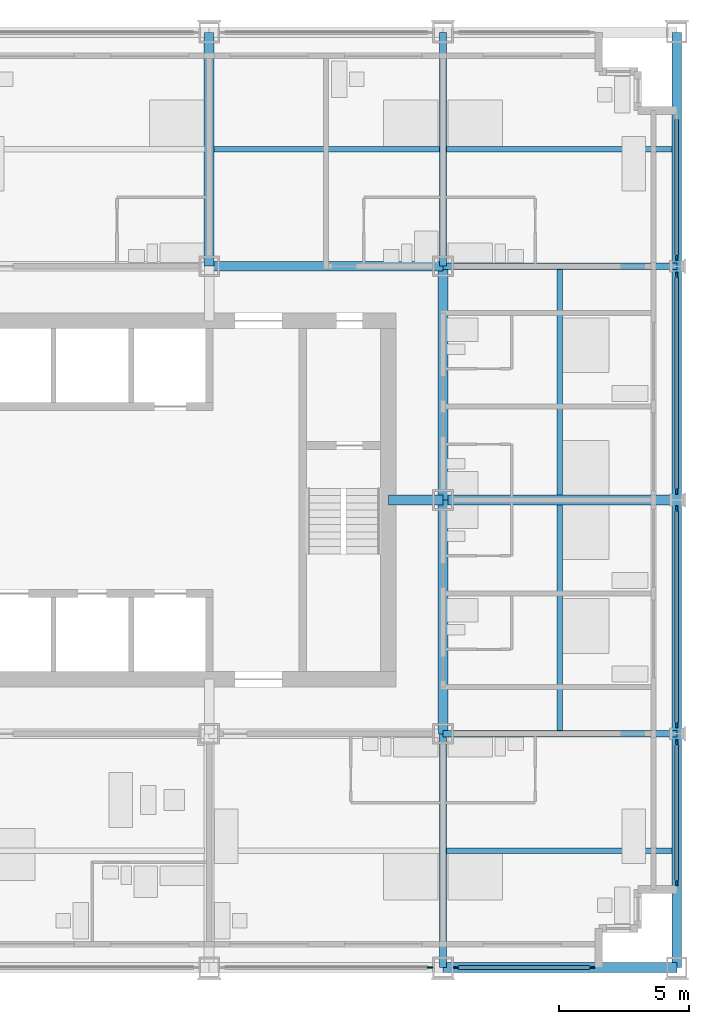
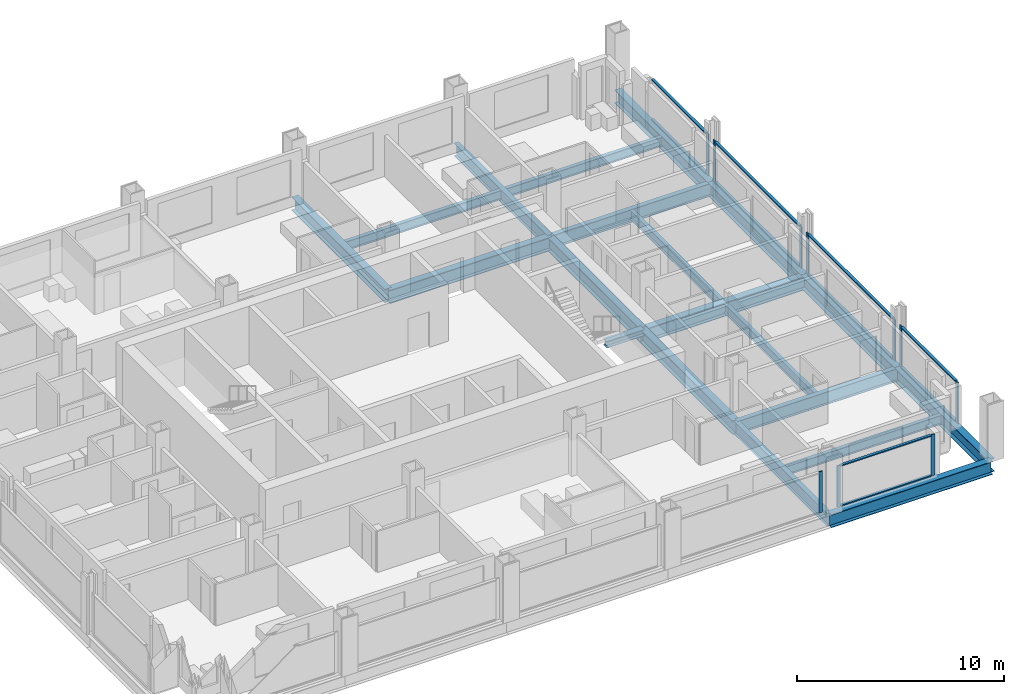
# One storey, part 5 of 16: 21 members, 19 beams, 6 elements without a shape of their own.
"""IFC4 building model written with IfcOpenShell, lengths in metres."""

from ifc_helpers import new_model, si_unit, direction, frame, origin, origin_2d, place, context, subcontext, project, spatial, rectangle, i_section, extrude, material, material_profile, profile_set, type_object, element, aggregate, save


model = new_model("IFC4")

# Units and contexts
model_context = context("Model", 3, precision=1e-05, world=origin(), true_north=direction((0.0, 1.0)))
body_context = subcontext(model_context, "Body", "Model", "MODEL_VIEW")
ifc_project = project(units=[si_unit("LENGTHUNIT", "METRE"), si_unit("AREAUNIT", "SQUARE_METRE"), si_unit("VOLUMEUNIT", "CUBIC_METRE"), si_unit("PLANEANGLEUNIT", "RADIAN"), si_unit("MASSUNIT", "GRAM", prefix="KILO")], contexts=[model_context])

# Site, building, storey
site_placement = place(None, origin())
site = spatial("IfcSite", under=ifc_project, at=site_placement, CompositionType="ELEMENT")
building_placement = place(site_placement, origin())
building = spatial("IfcBuilding", under=site, at=building_placement, Name="Loomwork Tower", CompositionType="ELEMENT")
storey_placement = place(building_placement, frame((0.0, 0.0, 107.800048828125)))
storey = spatial("IfcBuildingStorey", under=building, at=storey_placement, Name="L28", CompositionType="ELEMENT", Elevation=107.800048828125)

# Beams
ifc_material_1 = material(Name="Steel ASTM A992", Category="steel")
ifc_material_profile_1 = material_profile(ifc_material_1, i_section(OverallWidth=0.383544921875, OverallDepth=0.794921875, WebThickness=0.02099609375, FlangeThickness=0.0380859375, at=origin_2d()), Name="W30x235")
ifc_profile_set_1 = profile_set([ifc_material_profile_1], Name="Steel ASTM A992")
beam_type_1 = type_object("IfcBeamType", Name="CORE FLANK GIRDER W30x235", PredefinedType="BEAM", material=ifc_profile_set_1)
for number, where, z_axis, x_axis, name in (
    (1, (36.0, 18.0, -0.59765625), (1.0, 0.0, 0.0), (0.0, 1.0, 0.0), "Core Flank Girder F/6-F/7 L28"),
    (2, (27.0, 27.0, -0.59765625), (1.0, 0.0, 0.0), (0.0, 1.0, 0.0), "Core Flank Girder G/5-G/6 L28"),
    (3, (27.0, 27.0, -0.59765625), (0.0, 1.0, 0.0), (-1.0, 0.0, 0.0), "Core Flank Girder G/5-H/5 L28"),
    (4, (36.0, 9.0, -0.59765625), (0.0, 1.0, 0.0), (-1.0, 0.0, 0.0), "Core Flank Girder E/6-F/6 L28"),
    (5, (36.0, 18.0, -0.59765625), (0.0, 1.0, 0.0), (-1.0, 0.0, 0.0), "Core Flank Girder F/6-G/6 L28"),
):
    element("IfcBeam", number, at=place(storey_placement, frame(where, z_axis=z_axis, x_axis=x_axis)), inside=storey, type_object=beam_type_1, Name=name, PredefinedType="BEAM", context=body_context, shape_type="SweptSolid", body=[
        extrude(i_section(OverallWidth=0.383544921875, OverallDepth=0.794921875, WebThickness=0.02099609375, FlangeThickness=0.0380859375, at=origin_2d()), origin(), (0.0, 0.0, 1.0), 9.0),
    ])

# Member
ifc_material_2 = material(Name="Steel ASTM A992", Category="steel")
ifc_material_profile_2 = material_profile(ifc_material_2, i_section(OverallWidth=0.373291015625, OverallDepth=0.373291015625, WebThickness=0.016357421875, FlangeThickness=0.026123046875, at=origin_2d()), Name="W14x132")
ifc_profile_set_2 = profile_set([ifc_material_profile_2], Name="Steel ASTM A992")
member_type_1 = type_object("IfcMemberType", Name="CORE LINK STRUT W14x132", PredefinedType="STRUT", material=ifc_profile_set_2)
member_1_placement = place(storey_placement, frame((36.0, 18.0, -0.38671875), z_axis=(-1.0, 0.0, 0.0), x_axis=(0.0, -1.0, 0.0)))
element("IfcMember", 6, at=member_1_placement, inside=storey, type_object=member_type_1, Name="Core link strut F/6-33.900,18.000 L28", PredefinedType="STRUT", context=body_context, shape_type="SweptSolid", body=[
    extrude(i_section(OverallWidth=0.373291015625, OverallDepth=0.373291015625, WebThickness=0.016357421875, FlangeThickness=0.026123046875, at=origin_2d()), origin(), (0.0, 0.0, 1.0), 2.10009765625),
])

# Beams
ifc_material_3 = material(Name="Steel ASTM A992", Category="steel")
ifc_material_profile_3 = material_profile(ifc_material_3, i_section(OverallWidth=0.2666015625, OverallDepth=0.761962890625, WebThickness=0.014404296875, FlangeThickness=0.021484375, at=origin_2d()), Name="W30x116")
ifc_profile_set_3 = profile_set([ifc_material_profile_3], Name="Steel ASTM A992")
beam_type_2 = type_object("IfcBeamType", Name="FLOOR GIRDER W30x116", PredefinedType="BEAM", material=ifc_profile_set_3)
for number, where, z_axis, x_axis, name in (
    (7, (36.0, 9.0, -0.5810546875), (1.0, 0.0, 0.0), (0.0, 1.0, 0.0), "Floor Girder E/6-E/7 L28"),
    (8, (36.0, 27.0, -0.5810546875), (1.0, 0.0, 0.0), (0.0, 1.0, 0.0), "Floor Girder G/6-G/7 L28"),
    (9, (36.0, 0.0, -0.5810546875), (0.0, 1.0, 0.0), (-1.0, 0.0, 0.0), "Floor Girder D/6-E/6 L28"),
    (10, (36.0, 27.0, -0.5810546875), (0.0, 1.0, 0.0), (-1.0, 0.0, 0.0), "Floor Girder G/6-H/6 L28"),
):
    element("IfcBeam", number, at=place(storey_placement, frame(where, z_axis=z_axis, x_axis=x_axis)), inside=storey, type_object=beam_type_2, Name=name, PredefinedType="BEAM", context=body_context, shape_type="SweptSolid", body=[
        extrude(i_section(OverallWidth=0.2666015625, OverallDepth=0.761962890625, WebThickness=0.014404296875, FlangeThickness=0.021484375, at=origin_2d()), origin(), (0.0, 0.0, 1.0), 9.0),
    ])
ifc_material_4 = material(Name="Steel ASTM A992", Category="steel")
ifc_material_profile_4 = material_profile(ifc_material_4, i_section(OverallWidth=0.2109375, OverallDepth=0.53857421875, WebThickness=0.011474609375, FlangeThickness=0.018798828125, at=origin_2d()), Name="W21x73")
ifc_profile_set_4 = profile_set([ifc_material_profile_4], Name="Steel ASTM A992")
beam_type_3 = type_object("IfcBeamType", Name="FLOOR JOIST W21x73", PredefinedType="JOIST", material=ifc_profile_set_4)
beam_1_placement = place(storey_placement, frame((27.19091796875, 31.5, -0.46923828125), z_axis=(1.0, 0.0, 0.0), x_axis=(0.0, 1.0, 0.0)))
element("IfcBeam", 11, at=beam_1_placement, inside=storey, type_object=beam_type_3, Name="Floor Joist 27.000,31.500-36.000,31.500 L28", PredefinedType="JOIST", context=body_context, shape_type="SweptSolid", body=[
    extrude(i_section(OverallWidth=0.2109375, OverallDepth=0.53857421875, WebThickness=0.011474609375, FlangeThickness=0.018798828125, at=origin_2d()), origin(), (0.0, 0.0, 1.0), 8.676025390625),
])
beam_2_placement = place(storey_placement, frame((36.133056640625, 4.5, -0.46923828125), z_axis=(1.0, 0.0, 0.0), x_axis=(0.0, 1.0, 0.0)))
element("IfcBeam", 12, at=beam_2_placement, inside=storey, type_object=beam_type_3, Name="Floor Joist 36.000,4.500-45.000,4.500 L28", PredefinedType="JOIST", context=body_context, shape_type="SweptSolid", body=[
    extrude(i_section(OverallWidth=0.2109375, OverallDepth=0.53857421875, WebThickness=0.011474609375, FlangeThickness=0.018798828125, at=origin_2d()), origin(), (0.0, 0.0, 1.0), 8.677001953125),
])
for number, where, z_axis, x_axis, name in (
    (13, (40.5, 9.133056640625, -0.46923828125), (0.0, 1.0, 0.0), (-1.0, 0.0, 0.0), "Floor Joist 40.500,9.000-40.500,18.000 L28"),
    (14, (40.5, 18.19091796875, -0.46923828125), (0.0, 1.0, 0.0), (-1.0, 0.0, 0.0), "Floor Joist 40.500,18.000-40.500,27.000 L28"),
):
    element("IfcBeam", number, at=place(storey_placement, frame(where, z_axis=z_axis, x_axis=x_axis)), inside=storey, type_object=beam_type_3, Name=name, PredefinedType="JOIST", context=body_context, shape_type="SweptSolid", body=[
        extrude(i_section(OverallWidth=0.2109375, OverallDepth=0.53857421875, WebThickness=0.011474609375, FlangeThickness=0.018798828125, at=origin_2d()), origin(), (0.0, 0.0, 1.0), 8.676025390625),
    ])
beam_3_placement = place(storey_placement, frame((36.133056640625, 31.5, -0.46923828125), z_axis=(1.0, 0.0, 0.0), x_axis=(0.0, 1.0, 0.0)))
element("IfcBeam", 15, at=beam_3_placement, inside=storey, type_object=beam_type_3, Name="Floor Joist 36.000,31.500-45.000,31.500 L28", PredefinedType="JOIST", context=body_context, shape_type="SweptSolid", body=[
    extrude(i_section(OverallWidth=0.2109375, OverallDepth=0.53857421875, WebThickness=0.011474609375, FlangeThickness=0.018798828125, at=origin_2d()), origin(), (0.0, 0.0, 1.0), 8.677001953125),
])

# Curtain wall, member
ifc_material_5 = material(Name="Aluminium curtain wall frame", Category="aluminium")
curtain_wall_type = type_object("IfcCurtainWallType", Name="Outer skin glazing hotel", PredefinedType="NOTDEFINED", material=ifc_material_5)
curtain_wall_1_placement = place(storey_placement, origin())
curtain_wall_1 = element("IfcCurtainWall", 16, at=curtain_wall_1_placement, inside=storey, type_object=curtain_wall_type, Name="Outer skin glazing hotel cw/S-27", PredefinedType="NOTDEFINED")
ifc_material_6 = material(Name="Aluminium curtain wall frame", Category="aluminium")
ifc_material_profile_5 = material_profile(ifc_material_6, rectangle(XDim=0.06494140625, YDim=0.199951171875, at=origin_2d()), Name="AL 65x200")
ifc_profile_set_5 = profile_set([ifc_material_profile_5], Name="Aluminium curtain wall frame")
member_type_2 = type_object("IfcMemberType", Name="Outer skin glazing hotel mullion", PredefinedType="MULLION", material=ifc_profile_set_5)
member_2_placement = place(storey_placement, frame((35.5, 0.0, 0.0), z_axis=(0.0, 0.0, 1.0), x_axis=(0.0, 1.0, 0.0)))
member_2 = element("IfcMember", 17, at=member_2_placement, type_object=member_type_2, Name="CW1 mullion 2", PredefinedType="MULLION", context=body_context, shape_type="SweptSolid", body=[
    extrude(rectangle(XDim=0.06494140625, YDim=0.199951171875, at=origin_2d()), origin(), (0.0, 0.0, 1.0), 2.420166015625),
])
aggregate(curtain_wall_1, [member_2])

# Curtain wall, members
curtain_wall_2_placement = place(storey_placement, origin())
curtain_wall_2 = element("IfcCurtainWall", 18, at=curtain_wall_2_placement, inside=storey, type_object=curtain_wall_type, Name="Outer skin glazing hotel cw/S-36", PredefinedType="NOTDEFINED")
member_3_placement = place(storey_placement, frame((36.5, 0.0, 0.0), z_axis=(0.0, 0.0, 1.0), x_axis=(0.0, 1.0, 0.0)))
member_3 = element("IfcMember", 19, at=member_3_placement, type_object=member_type_2, Name="CW1 mullion 1", PredefinedType="MULLION", context=body_context, shape_type="SweptSolid", body=[
    extrude(rectangle(XDim=0.06494140625, YDim=0.199951171875, at=origin_2d()), origin(), (0.0, 0.0, 1.0), 2.420166015625),
])
member_4_placement = place(storey_placement, frame((41.75, 0.0, 0.0), z_axis=(0.0, 0.0, 1.0), x_axis=(0.0, 1.0, 0.0)))
member_4 = element("IfcMember", 20, at=member_4_placement, type_object=member_type_2, Name="CW1 mullion 2", PredefinedType="MULLION", context=body_context, shape_type="SweptSolid", body=[
    extrude(rectangle(XDim=0.06494140625, YDim=0.199951171875, at=origin_2d()), origin(), (0.0, 0.0, 1.0), 2.420166015625),
])

curtain_wall_3_placement = place(storey_placement, origin())
curtain_wall_3 = element("IfcCurtainWall", 21, at=curtain_wall_3_placement, inside=storey, type_object=curtain_wall_type, Name="Outer skin glazing hotel cw/E-0", PredefinedType="NOTDEFINED")
member_5_placement = place(storey_placement, frame((45.0, 3.25, 0.0), z_axis=(0.0, 0.0, 1.0), x_axis=(-1.0, 0.0, 0.0)))
member_5 = element("IfcMember", 22, at=member_5_placement, type_object=member_type_2, Name="CW1 mullion 1", PredefinedType="MULLION", context=body_context, shape_type="SweptSolid", body=[
    extrude(rectangle(XDim=0.06494140625, YDim=0.199951171875, at=origin_2d()), origin(), (0.0, 0.0, 1.0), 2.420166015625),
])
member_6_placement = place(storey_placement, frame((45.0, 8.67529296875, 0.0), z_axis=(0.0, 0.0, 1.0), x_axis=(-1.0, 0.0, 0.0)))
member_6 = element("IfcMember", 23, at=member_6_placement, type_object=member_type_2, Name="CW1 mullion 2", PredefinedType="MULLION", context=body_context, shape_type="SweptSolid", body=[
    extrude(rectangle(XDim=0.06494140625, YDim=0.199951171875, at=origin_2d()), origin(), (0.0, 0.0, 1.0), 2.420166015625),
])

curtain_wall_4_placement = place(storey_placement, origin())
curtain_wall_4 = element("IfcCurtainWall", 24, at=curtain_wall_4_placement, inside=storey, type_object=curtain_wall_type, Name="Outer skin glazing hotel cw/E-9", PredefinedType="NOTDEFINED")
member_7_placement = place(storey_placement, frame((45.0, 9.32470703125, 0.0), z_axis=(0.0, 0.0, 1.0), x_axis=(-1.0, 0.0, 0.0)))
member_7 = element("IfcMember", 25, at=member_7_placement, type_object=member_type_2, Name="CW1 mullion 1", PredefinedType="MULLION", context=body_context, shape_type="SweptSolid", body=[
    extrude(rectangle(XDim=0.06494140625, YDim=0.199951171875, at=origin_2d()), origin(), (0.0, 0.0, 1.0), 2.420166015625),
])
member_8_placement = place(storey_placement, frame((45.0, 17.67529296875, 0.0), z_axis=(0.0, 0.0, 1.0), x_axis=(-1.0, 0.0, 0.0)))
member_8 = element("IfcMember", 26, at=member_8_placement, type_object=member_type_2, Name="CW1 mullion 2", PredefinedType="MULLION", context=body_context, shape_type="SweptSolid", body=[
    extrude(rectangle(XDim=0.06494140625, YDim=0.199951171875, at=origin_2d()), origin(), (0.0, 0.0, 1.0), 2.420166015625),
])

curtain_wall_5_placement = place(storey_placement, origin())
curtain_wall_5 = element("IfcCurtainWall", 27, at=curtain_wall_5_placement, inside=storey, type_object=curtain_wall_type, Name="Outer skin glazing hotel cw/E-18", PredefinedType="NOTDEFINED")
member_9_placement = place(storey_placement, frame((45.0, 18.32470703125, 0.0), z_axis=(0.0, 0.0, 1.0), x_axis=(-1.0, 0.0, 0.0)))
member_9 = element("IfcMember", 28, at=member_9_placement, type_object=member_type_2, Name="CW1 mullion 1", PredefinedType="MULLION", context=body_context, shape_type="SweptSolid", body=[
    extrude(rectangle(XDim=0.06494140625, YDim=0.199951171875, at=origin_2d()), origin(), (0.0, 0.0, 1.0), 2.420166015625),
])
member_10_placement = place(storey_placement, frame((45.0, 26.67529296875, 0.0), z_axis=(0.0, 0.0, 1.0), x_axis=(-1.0, 0.0, 0.0)))
member_10 = element("IfcMember", 29, at=member_10_placement, type_object=member_type_2, Name="CW1 mullion 2", PredefinedType="MULLION", context=body_context, shape_type="SweptSolid", body=[
    extrude(rectangle(XDim=0.06494140625, YDim=0.199951171875, at=origin_2d()), origin(), (0.0, 0.0, 1.0), 2.420166015625),
])

# Curtain wall, member
curtain_wall_6_placement = place(storey_placement, origin())
curtain_wall_6 = element("IfcCurtainWall", 30, at=curtain_wall_6_placement, inside=storey, type_object=curtain_wall_type, Name="Outer skin glazing hotel cw/E-27", PredefinedType="NOTDEFINED")
member_11_placement = place(storey_placement, frame((45.0, 27.32470703125, 0.0), z_axis=(0.0, 0.0, 1.0), x_axis=(-1.0, 0.0, 0.0)))
member_11 = element("IfcMember", 31, at=member_11_placement, type_object=member_type_2, Name="CW1 mullion 1", PredefinedType="MULLION", context=body_context, shape_type="SweptSolid", body=[
    extrude(rectangle(XDim=0.06494140625, YDim=0.199951171875, at=origin_2d()), origin(), (0.0, 0.0, 1.0), 2.420166015625),
])

# Member
ifc_material_7 = material(Name="Aluminium curtain wall frame", Category="aluminium")
ifc_material_profile_6 = material_profile(ifc_material_7, rectangle(XDim=0.14990234375, YDim=0.06494140625, at=origin_2d()), Name="AL 65x150")
ifc_profile_set_6 = profile_set([ifc_material_profile_6], Name="Aluminium curtain wall frame")
member_type_3 = type_object("IfcMemberType", Name="Outer skin glazing hotel transom", PredefinedType="USERDEFINED", material=ifc_profile_set_6)
member_12_placement = place(storey_placement, frame((36.60009765625, 0.0, 0.032470703125), z_axis=(1.0, 0.0, 0.0), x_axis=(0.0, 1.0, 0.0)))
member_12 = element("IfcMember", 32, at=member_12_placement, type_object=member_type_3, Name="CW1 transom 1.1", ObjectType="TRANSOM", PredefinedType="USERDEFINED", context=body_context, shape_type="SweptSolid", body=[
    extrude(rectangle(XDim=0.14990234375, YDim=0.06494140625, at=origin_2d()), origin(), (0.0, 0.0, 1.0), 5.0498046875),
])

member_13_placement = place(storey_placement, frame((36.60009765625, 0.0, 2.3876953125), z_axis=(1.0, 0.0, 0.0), x_axis=(0.0, 1.0, 0.0)))
member_13 = element("IfcMember", 33, at=member_13_placement, type_object=member_type_3, Name="CW1 transom 1.2", ObjectType="TRANSOM", PredefinedType="USERDEFINED", context=body_context, shape_type="SweptSolid", body=[
    extrude(rectangle(XDim=0.14990234375, YDim=0.06494140625, at=origin_2d()), origin(), (0.0, 0.0, 1.0), 5.0498046875),
])

aggregate(curtain_wall_2, [member_3, member_4, member_12, member_13])

member_14_placement = place(storey_placement, frame((45.0, 3.35009765625, 0.032470703125), z_axis=(0.0, 1.0, 0.0), x_axis=(-1.0, 0.0, 0.0)))
member_14 = element("IfcMember", 34, at=member_14_placement, type_object=member_type_3, Name="CW1 transom 1.1", ObjectType="TRANSOM", PredefinedType="USERDEFINED", context=body_context, shape_type="SweptSolid", body=[
    extrude(rectangle(XDim=0.14990234375, YDim=0.06494140625, at=origin_2d()), origin(), (0.0, 0.0, 1.0), 5.22509765625),
])

member_15_placement = place(storey_placement, frame((45.0, 3.35009765625, 2.3876953125), z_axis=(0.0, 1.0, 0.0), x_axis=(-1.0, 0.0, 0.0)))
member_15 = element("IfcMember", 35, at=member_15_placement, type_object=member_type_3, Name="CW1 transom 1.2", ObjectType="TRANSOM", PredefinedType="USERDEFINED", context=body_context, shape_type="SweptSolid", body=[
    extrude(rectangle(XDim=0.14990234375, YDim=0.06494140625, at=origin_2d()), origin(), (0.0, 0.0, 1.0), 5.22509765625),
])

aggregate(curtain_wall_3, [member_5, member_6, member_14, member_15])

member_16_placement = place(storey_placement, frame((45.0, 9.4248046875, 0.032470703125), z_axis=(0.0, 1.0, 0.0), x_axis=(-1.0, 0.0, 0.0)))
member_16 = element("IfcMember", 36, at=member_16_placement, type_object=member_type_3, Name="CW1 transom 1.1", ObjectType="TRANSOM", PredefinedType="USERDEFINED", context=body_context, shape_type="SweptSolid", body=[
    extrude(rectangle(XDim=0.14990234375, YDim=0.06494140625, at=origin_2d()), origin(), (0.0, 0.0, 1.0), 8.150390625),
])

member_17_placement = place(storey_placement, frame((45.0, 9.4248046875, 2.3876953125), z_axis=(0.0, 1.0, 0.0), x_axis=(-1.0, 0.0, 0.0)))
member_17 = element("IfcMember", 37, at=member_17_placement, type_object=member_type_3, Name="CW1 transom 1.2", ObjectType="TRANSOM", PredefinedType="USERDEFINED", context=body_context, shape_type="SweptSolid", body=[
    extrude(rectangle(XDim=0.14990234375, YDim=0.06494140625, at=origin_2d()), origin(), (0.0, 0.0, 1.0), 8.150390625),
])

aggregate(curtain_wall_4, [member_7, member_8, member_16, member_17])

member_18_placement = place(storey_placement, frame((45.0, 18.4248046875, 0.032470703125), z_axis=(0.0, 1.0, 0.0), x_axis=(-1.0, 0.0, 0.0)))
member_18 = element("IfcMember", 38, at=member_18_placement, type_object=member_type_3, Name="CW1 transom 1.1", ObjectType="TRANSOM", PredefinedType="USERDEFINED", context=body_context, shape_type="SweptSolid", body=[
    extrude(rectangle(XDim=0.14990234375, YDim=0.06494140625, at=origin_2d()), origin(), (0.0, 0.0, 1.0), 8.150390625),
])

member_19_placement = place(storey_placement, frame((45.0, 18.4248046875, 2.3876953125), z_axis=(0.0, 1.0, 0.0), x_axis=(-1.0, 0.0, 0.0)))
member_19 = element("IfcMember", 39, at=member_19_placement, type_object=member_type_3, Name="CW1 transom 1.2", ObjectType="TRANSOM", PredefinedType="USERDEFINED", context=body_context, shape_type="SweptSolid", body=[
    extrude(rectangle(XDim=0.14990234375, YDim=0.06494140625, at=origin_2d()), origin(), (0.0, 0.0, 1.0), 8.150390625),
])

aggregate(curtain_wall_5, [member_9, member_10, member_18, member_19])

member_20_placement = place(storey_placement, frame((45.0, 27.4248046875, 0.032470703125), z_axis=(0.0, 1.0, 0.0), x_axis=(-1.0, 0.0, 0.0)))
member_20 = element("IfcMember", 40, at=member_20_placement, type_object=member_type_3, Name="CW1 transom 1.1", ObjectType="TRANSOM", PredefinedType="USERDEFINED", context=body_context, shape_type="SweptSolid", body=[
    extrude(rectangle(XDim=0.14990234375, YDim=0.06494140625, at=origin_2d()), origin(), (0.0, 0.0, 1.0), 5.22509765625),
])

member_21_placement = place(storey_placement, frame((45.0, 27.4248046875, 2.3876953125), z_axis=(0.0, 1.0, 0.0), x_axis=(-1.0, 0.0, 0.0)))
member_21 = element("IfcMember", 41, at=member_21_placement, type_object=member_type_3, Name="CW1 transom 1.2", ObjectType="TRANSOM", PredefinedType="USERDEFINED", context=body_context, shape_type="SweptSolid", body=[
    extrude(rectangle(XDim=0.14990234375, YDim=0.06494140625, at=origin_2d()), origin(), (0.0, 0.0, 1.0), 5.22509765625),
])

aggregate(curtain_wall_6, [member_11, member_20, member_21])

# Beams
ifc_material_8 = material(Name="Steel ASTM A992", Category="steel")
ifc_material_profile_7 = material_profile(ifc_material_8, i_section(OverallWidth=0.381103515625, OverallDepth=0.77978515625, WebThickness=0.01806640625, FlangeThickness=0.0302734375, at=origin_2d()), Name="W30x191")
ifc_profile_set_7 = profile_set([ifc_material_profile_7], Name="Steel ASTM A992")
beam_type_4 = type_object("IfcBeamType", Name="SPANDREL GIRDER W30x191", PredefinedType="SPANDREL", material=ifc_profile_set_7)
for number, where, z_axis, x_axis, name in (
    (42, (36.0, 0.0, -0.58984375), (1.0, 0.0, 0.0), (0.0, 1.0, 0.0), "Spandrel Girder D/6-D/7 L28"),
    (43, (45.0, 0.0, -0.58984375), (0.0, 1.0, 0.0), (-1.0, 0.0, 0.0), "Spandrel Girder D/7-E/7 L28"),
    (44, (45.0, 9.0, -0.58984375), (0.0, 1.0, 0.0), (-1.0, 0.0, 0.0), "Spandrel Girder E/7-F/7 L28"),
    (45, (45.0, 18.0, -0.58984375), (0.0, 1.0, 0.0), (-1.0, 0.0, 0.0), "Spandrel Girder F/7-G/7 L28"),
    (46, (45.0, 27.0, -0.58984375), (0.0, 1.0, 0.0), (-1.0, 0.0, 0.0), "Spandrel Girder G/7-H/7 L28"),
):
    element("IfcBeam", number, at=place(storey_placement, frame(where, z_axis=z_axis, x_axis=x_axis)), inside=storey, type_object=beam_type_4, Name=name, PredefinedType="SPANDREL", context=body_context, shape_type="SweptSolid", body=[
        extrude(i_section(OverallWidth=0.381103515625, OverallDepth=0.77978515625, WebThickness=0.01806640625, FlangeThickness=0.0302734375, at=origin_2d()), origin(), (0.0, 0.0, 1.0), 9.0),
    ])

save(model, "model.ifc")
